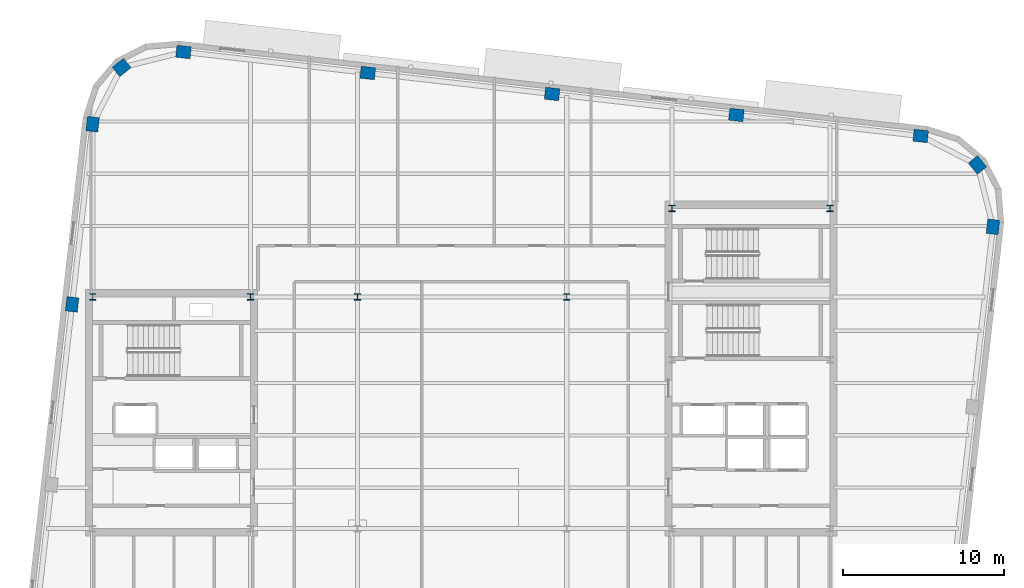
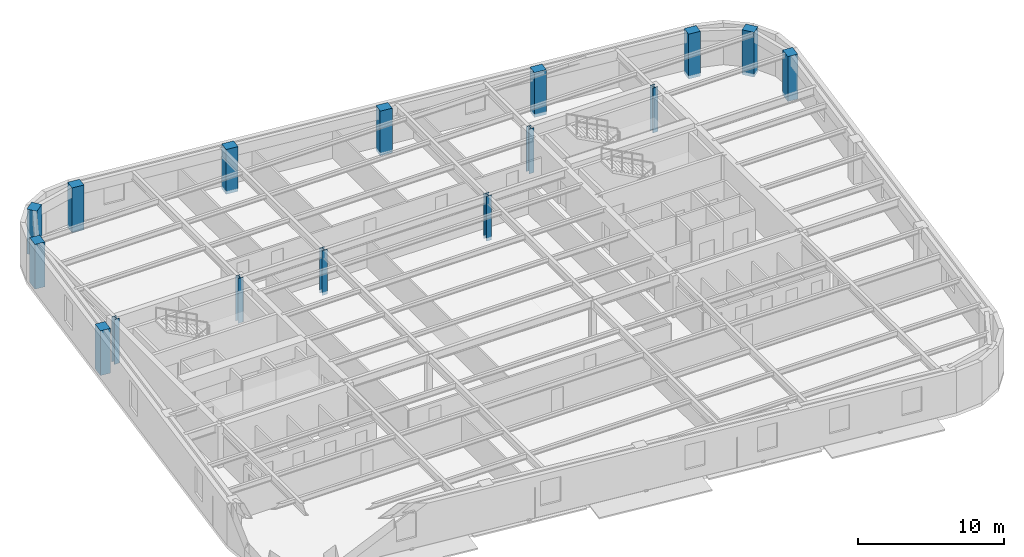
# One storey, part 2 of 13: 16 columns.
"""IFC4 building model written with IfcOpenShell, lengths in metres."""

from ifc_helpers import new_model, si_unit, direction, frame, origin, origin_2d, place, context, subcontext, project, spatial, rectangle, i_section, extrude, material, material_profile, profile_set, type_object, element, save


model = new_model("IFC4")

# Units and contexts
model_context = context("Model", 3, precision=1e-05, world=origin(), true_north=direction((0.0, 1.0)))
body_context = subcontext(model_context, "Body", "Model", "MODEL_VIEW")
ifc_project = project(units=[si_unit("LENGTHUNIT", "METRE"), si_unit("AREAUNIT", "SQUARE_METRE"), si_unit("VOLUMEUNIT", "CUBIC_METRE"), si_unit("PLANEANGLEUNIT", "RADIAN"), si_unit("MASSUNIT", "GRAM", prefix="KILO")], contexts=[model_context])

# Site, building, storey
site_placement = place(None, origin())
site = spatial("IfcSite", under=ifc_project, at=site_placement, CompositionType="ELEMENT")
building_placement = place(site_placement, origin())
building = spatial("IfcBuilding", under=site, at=building_placement, Name="Kolvaren Arena Tower", CompositionType="ELEMENT")
storey_placement = place(building_placement, frame((0.0, 0.0, 254.699951171875)))
storey = spatial("IfcBuildingStorey", under=building, at=storey_placement, Name="L62", CompositionType="ELEMENT", Elevation=254.699951171875)

# Columns
ifc_material_1 = material(Name="Precast concrete C55/67", Category="concrete")
ifc_material_profile_1 = material_profile(ifc_material_1, rectangle(XDim=0.89990234375, YDim=0.75, at=origin_2d()), Name="RC-900x750")
ifc_profile_set_1 = profile_set([ifc_material_profile_1], Name="Precast concrete C55/67")
column_type_1 = type_object("IfcColumnType", Name="EXCOL-Z4", PredefinedType="COLUMN", material=ifc_profile_set_1)
for number, where, z_axis, x_axis, name in (
    (1, (70.482177734375, 38.20458984375, -0.27001953125), (0.0, 0.0, 1.0), (0.113203213768, 0.993571855677, 0.0), "Exoskeleton Perimeter Column 10 (L62)"),
    (2, (69.519775390625, 42.047119140625, -0.27001953125), (0.0, 0.0, 1.0), (-0.622514636638, 0.782608156852, 0.0), "Exoskeleton Perimeter Column 11 (L62)"),
    (3, (65.9921875, 43.84912109375, -0.27001953125), (0.0, 0.0, 1.0), (0.993571855677, -0.113203213768, 0.0), "Exoskeleton Perimeter Column 12 (L62)"),
    (4, (54.54150390625, 45.15380859375, -0.27001953125), (0.0, 0.0, 1.0), (0.993571855677, -0.113203213768, 0.0), "Exoskeleton Perimeter Column 13 (L62)"),
    (5, (43.090576171875, 46.45849609375, -0.27001953125), (0.0, 0.0, 1.0), (0.993571855677, -0.113203213768, 0.0), "Exoskeleton Perimeter Column 14 (L62)"),
    (6, (31.6396484375, 47.76318359375, -0.27001953125), (0.0, 0.0, 1.0), (0.993571855677, -0.113203213768, 0.0), "Exoskeleton Perimeter Column 15 (L62)"),
    (7, (20.188720703125, 49.06787109375, -0.27001953125), (0.0, 0.0, 1.0), (0.993571855677, -0.113203213768, 0.0), "Exoskeleton Perimeter Column 16 (L62)"),
    (8, (16.34619140625, 48.10546875, -0.27001953125), (0.0, 0.0, 1.0), (0.782608156852, 0.622514636638, 0.0), "Exoskeleton Perimeter Column 17 (L62)"),
    (9, (14.544189453125, 44.577880859375, -0.27001953125), (0.0, 0.0, 1.0), (0.113203213768, 0.993571855677, 0.0), "Exoskeleton Perimeter Column 18 (L62)"),
    (10, (13.268798828125, 33.3837890625, -0.27001953125), (0.0, 0.0, 1.0), (0.113203213768, 0.993571855677, 0.0), "Exoskeleton Perimeter Column 19 (L62)"),
):
    element("IfcColumn", number, at=place(storey_placement, frame(where, z_axis=z_axis, x_axis=x_axis)), inside=storey, type_object=column_type_1, Name=name, PredefinedType="COLUMN", context=body_context, shape_type="SweptSolid", body=[
        extrude(rectangle(XDim=0.89990234375, YDim=0.75, at=origin_2d()), origin(), (0.0, 0.0, 1.0), 3.75),
    ])
ifc_material_2 = material(Name="Steel ASTM A913 Grade 65", Category="steel")
ifc_material_profile_2 = material_profile(ifc_material_2, i_section(OverallWidth=0.39892578125, OverallDepth=0.39306640625, WebThickness=0.022705078125, FlangeThickness=0.03662109375, FilletRadius=0.02001953125, at=origin_2d()), Name="W360x287")
ifc_profile_set_2 = profile_set([ifc_material_profile_2], Name="Steel ASTM A913 Grade 65")
column_type_2 = type_object("IfcColumnType", Name="SCOL-Z4", PredefinedType="COLUMN", material=ifc_profile_set_2)
for number, where, z_axis, x_axis, name in (
    (11, (14.550048828125, 33.85009765625, -0.27001953125), (0.0, 0.0, 1.0), (1.0, 0.0, 0.0), "Core Boundary Column WC-NW (L62)"),
    (12, (24.35009765625, 33.85009765625, -0.27001953125), (0.0, 0.0, 1.0), (1.0, 0.0, 0.0), "Core Boundary Column WC-NE (L62)"),
    (13, (50.550048828125, 39.35009765625, -0.27001953125), (0.0, 0.0, 1.0), (1.0, 0.0, 0.0), "Core Boundary Column EC-NW (L62)"),
    (14, (60.35009765625, 39.35009765625, -0.27001953125), (0.0, 0.0, 1.0), (1.0, 0.0, 0.0), "Core Boundary Column EC-NE (L62)"),
    (15, (31.0, 33.85009765625, -0.27001953125), (0.0, 0.0, 1.0), (1.0, 0.0, 0.0), "Interior Gravity Column TC-NW (L62)"),
    (16, (44.0, 33.85009765625, -0.27001953125), (0.0, 0.0, 1.0), (1.0, 0.0, 0.0), "Interior Gravity Column TC-NE (L62)"),
):
    element("IfcColumn", number, at=place(storey_placement, frame(where, z_axis=z_axis, x_axis=x_axis)), inside=storey, type_object=column_type_2, Name=name, PredefinedType="COLUMN", context=body_context, shape_type="SweptSolid", body=[
        extrude(i_section(OverallWidth=0.39892578125, OverallDepth=0.39306640625, WebThickness=0.022705078125, FlangeThickness=0.03662109375, FilletRadius=0.02001953125, at=origin_2d()), origin(), (0.0, 0.0, 1.0), 3.75),
    ])

save(model, "model.ifc")
